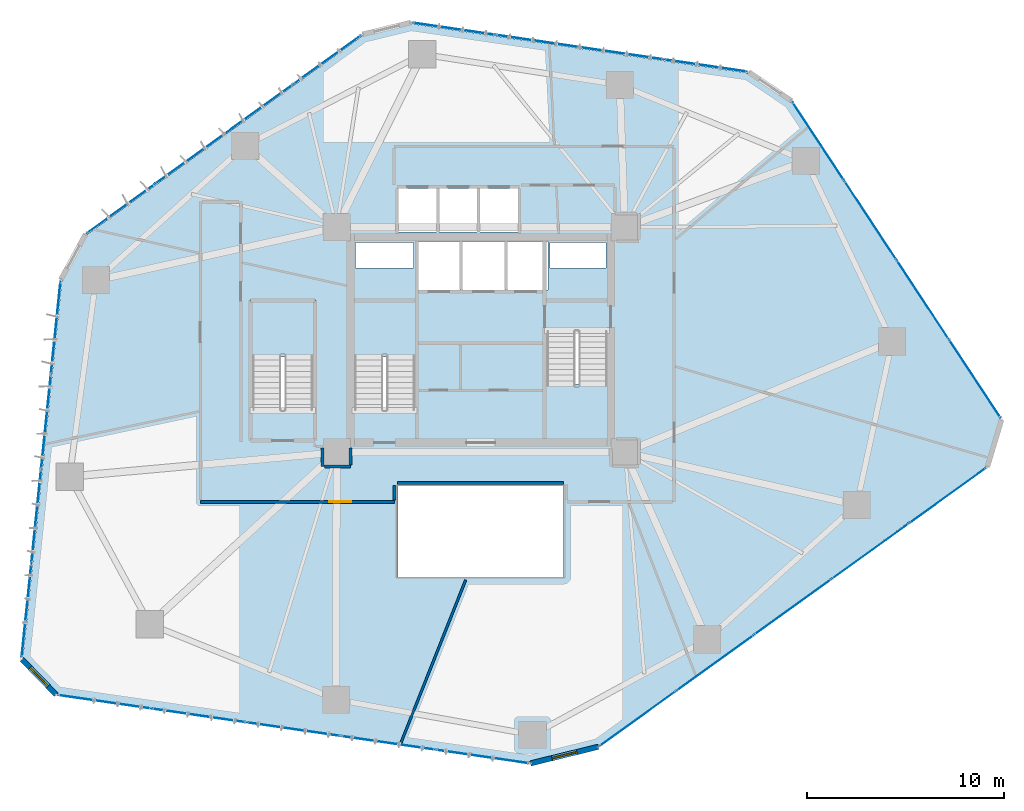
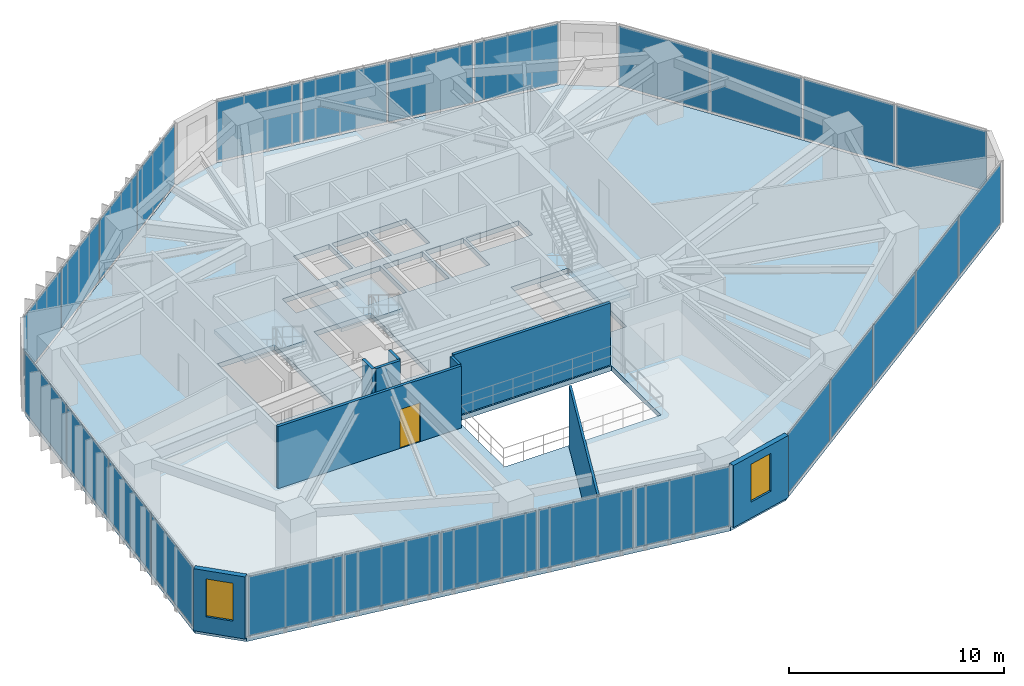
# One storey, part 17 of 22: 26 plates, 9 walls, 4 slabs, 2 windows, 1 door, 3 openings, 9 elements without a shape of their own.
"""IFC4 building model written with IfcOpenShell, lengths in metres."""

from ifc_helpers import new_model, si_unit, direction, frame, frame_2d, origin, origin_2d, place, context, subcontext, project, spatial, polyline, rectangle, outline, extrude, source, transform, mapped, material, layer, layer_set, type_object, type_shapes, element, fill, aggregate, save


model = new_model("IFC4")

# Units and contexts
model_context = context("Model", 3, precision=1e-05, world=origin(), true_north=direction((0.0, 1.0)))
body_context = subcontext(model_context, "Body", "Model", "MODEL_VIEW")
ifc_project = project(units=[si_unit("LENGTHUNIT", "METRE"), si_unit("AREAUNIT", "SQUARE_METRE"), si_unit("VOLUMEUNIT", "CUBIC_METRE"), si_unit("PLANEANGLEUNIT", "RADIAN"), si_unit("MASSUNIT", "GRAM", prefix="KILO")], contexts=[model_context])

# Site, building, storey
site_placement = place(None, origin())
site = spatial("IfcSite", under=ifc_project, at=site_placement, CompositionType="ELEMENT")
building_placement = place(site_placement, origin())
building = spatial("IfcBuilding", under=site, at=building_placement, Name="Talar Marvaseh", CompositionType="ELEMENT")
storey_placement = place(building_placement, frame((0.0, 0.0, 65.800048828125)))
storey = spatial("IfcBuildingStorey", under=building, at=storey_placement, Name="L16", CompositionType="ELEMENT", Elevation=65.800048828125)

# Stair, slab
ifc_material_1 = material(Name="Concrete C40/50", Category="concrete")
stair_type = type_object("IfcStairType", Name="Reinforced Concrete Half-Turn Exit Stair Type B", PredefinedType="HALF_TURN_STAIR", material=ifc_material_1)
stair_1_placement = place(storey_placement, origin())
stair_1 = element("IfcStair", 1, at=stair_1_placement, inside=storey, type_object=stair_type, Name="L16 Tower West Core Exit Stair", PredefinedType="HALF_TURN_STAIR")
ifc_layer_1 = layer(ifc_material_1, 0.199951171875)
ifc_layer_set_1 = layer_set([ifc_layer_1], Name="Concrete C40/50")
slab_type_1 = type_object("IfcSlabType", Name="Reinforced Concrete Stair Half-Landing Slab 200", PredefinedType="LANDING", material=ifc_layer_set_1)
slab_1_placement = place(storey_placement, frame((0.0, 0.0, 1.699951171875)))
slab_1 = element("IfcSlab", 2, at=slab_1_placement, type_object=slab_type_1, Name="ST-1 landing 1", PredefinedType="LANDING", context=body_context, shape_type="SweptSolid", body=[
    extrude(outline(polyline([(22.780029296875, 30.330078125), (22.780029296875, 33.219970703125), (19.47998046875, 33.219970703125), (19.47998046875, 30.330078125), (22.780029296875, 30.330078125)])), origin(), (0.0, 0.0, 1.0), 0.199951171875),
])
aggregate(stair_1, [slab_1])

stair_2_placement = place(storey_placement, origin())
stair_2 = element("IfcStair", 3, at=stair_2_placement, inside=storey, type_object=stair_type, Name="L16 Tower East Core Exit Stair", PredefinedType="HALF_TURN_STAIR")
slab_2_placement = place(storey_placement, frame((0.0, 0.0, 1.699951171875)))
slab_2 = element("IfcSlab", 4, at=slab_2_placement, type_object=slab_type_1, Name="ST-2 landing 1", PredefinedType="LANDING", context=body_context, shape_type="SweptSolid", body=[
    extrude(outline(polyline([(29.219970703125, 28.969970703125), (29.219970703125, 26.080078125), (32.52001953125, 26.080078125), (32.52001953125, 28.969970703125), (29.219970703125, 28.969970703125)])), origin(), (0.0, 0.0, 1.0), 0.199951171875),
])
aggregate(stair_2, [slab_2])

stair_3_placement = place(storey_placement, origin())
stair_3 = element("IfcStair", 5, at=stair_3_placement, inside=storey, type_object=stair_type, Name="L16 Museum & Podium Auxiliary Exit Stair", PredefinedType="HALF_TURN_STAIR")
slab_3_placement = place(storey_placement, frame((0.0, 0.0, 1.699951171875)))
slab_3 = element("IfcSlab", 6, at=slab_3_placement, type_object=slab_type_1, Name="ST-3 landing 1", PredefinedType="LANDING", context=body_context, shape_type="SweptSolid", body=[
    extrude(outline(polyline([(17.6201171875, 30.330078125), (17.6201171875, 33.219970703125), (14.320068359375, 33.219970703125), (14.320068359375, 30.330078125), (17.6201171875, 30.330078125)])), origin(), (0.0, 0.0, 1.0), 0.199951171875),
])
aggregate(stair_3, [slab_3])

# Slab
ifc_layer_2 = layer(ifc_material_1, 0.280029296875)
ifc_layer_set_2 = layer_set([ifc_layer_2], Name="Concrete C40/50")
slab_type_2 = type_object("IfcSlabType", Name="Structural Suspended Floor Slab 280", PredefinedType="FLOOR", material=ifc_layer_set_2)
slab_4_placement = place(storey_placement, frame((0.0, 0.0, -0.280029296875)))
element("IfcSlab", 7, at=slab_4_placement, inside=storey, type_object=slab_type_2, Name="L16 Tower Floor Slab", PredefinedType="FLOOR", context=body_context, shape_type="SweptSolid", body=[
    extrude(outline(polyline([(4.53369140625, 13.276123046875), (2.802490234375, 15.0576171875), (4.7841796875, 34.221923828125), (6.041015625, 36.524658203125), (20.026611328125, 46.6181640625), (22.470703125, 47.216064453125), (39.53662109375, 44.720947265625), (41.714599609375, 43.2587890625), (52.321533203125, 27.175048828125), (51.60888671875, 24.79541015625), (31.94482421875, 10.643798828125), (28.510009765625, 9.803466796875), (4.53369140625, 13.276123046875)]), holes=[polyline([(22.659912109375, 27.64990234375), (22.659912109375, 33.10009765625), (19.60009765625, 33.10009765625), (19.60009765625, 27.64990234375), (22.659912109375, 27.64990234375)]), polyline([(29.340087890625, 31.64990234375), (29.340087890625, 26.199951171875), (32.39990234375, 26.199951171875), (32.39990234375, 31.64990234375), (29.340087890625, 31.64990234375)]), polyline([(17.5, 27.64990234375), (17.5, 33.10009765625), (14.43994140625, 33.10009765625), (14.43994140625, 27.64990234375), (17.5, 27.64990234375)]), polyline([(22.800048828125, 33.719970703125), (24.93994140625, 33.719970703125), (24.93994140625, 36.179931640625), (22.800048828125, 36.179931640625), (22.800048828125, 33.719970703125)]), polyline([(25.080078125, 33.719970703125), (27.219970703125, 33.719970703125), (27.219970703125, 36.179931640625), (25.080078125, 36.179931640625), (25.080078125, 33.719970703125)]), polyline([(27.360107421875, 33.719970703125), (29.39990234375, 33.719970703125), (29.39990234375, 36.179931640625), (27.360107421875, 36.179931640625), (27.360107421875, 33.719970703125)]), polyline([(21.840087890625, 36.659912109375), (23.760009765625, 36.659912109375), (23.760009765625, 38.8798828125), (21.840087890625, 38.8798828125), (21.840087890625, 36.659912109375)]), polyline([(23.89990234375, 36.659912109375), (25.820068359375, 36.659912109375), (25.820068359375, 38.8798828125), (23.89990234375, 38.8798828125), (23.89990234375, 36.659912109375)]), polyline([(25.9599609375, 36.659912109375), (27.8798828125, 36.659912109375), (27.8798828125, 38.8798828125), (25.9599609375, 38.8798828125), (25.9599609375, 36.659912109375)]), polyline([(19.659912109375, 34.840087890625), (22.60009765625, 34.840087890625), (22.60009765625, 36.139892578125), (19.659912109375, 36.139892578125), (19.659912109375, 34.840087890625)]), polyline([(29.52001953125, 34.840087890625), (32.340087890625, 34.840087890625), (32.340087890625, 36.139892578125), (29.52001953125, 36.139892578125), (29.52001953125, 34.840087890625)]), polyline([(21.800048828125, 19.199951171875), (30.199951171875, 19.199951171875), (30.199951171875, 23.800048828125), (21.800048828125, 23.800048828125), (21.800048828125, 19.199951171875)])]), origin(), (0.0, 0.0, 1.0), 0.280029296875),
])

# Curtain wall, plates
ifc_material_2 = material(Name="Architectural Aluminium", Category="aluminium")
ifc_layer_3 = layer(ifc_material_2, 0.219970703125)
ifc_layer_set_3 = layer_set([ifc_layer_3], Name="Architectural Aluminium")
curtain_wall_type = type_object("IfcCurtainWallType", Name="Unitised Low-E Museum Curtain Wall Z1", PredefinedType="NOTDEFINED", material=ifc_layer_set_3)
curtain_wall_1_placement = place(storey_placement, origin())
curtain_wall_1 = element("IfcCurtainWall", 8, at=curtain_wall_1_placement, inside=storey, type_object=curtain_wall_type, Name="L16 Unitised Low-E Museum Curtain Wall Z1", PredefinedType="NOTDEFINED")
ifc_material_3 = material(Name="Laminated Low-E Solar Glass", Category="glass")
ifc_layer_4 = layer(ifc_material_3, 0.028076171875)
ifc_layer_set_4 = layer_set([ifc_layer_4], Name="Laminated Low-E Solar Glass")
plate_type = type_object("IfcPlateType", Name="Double-Glazed Low-E Vision Curtain Panel 28", PredefinedType="CURTAIN_PANEL", material=ifc_layer_set_4)
shared_shape_1 = source(origin(), body_context, "Body", "SweptSolid", [
    extrude(rectangle(XDim=4.696533203125, YDim=0.028076171875, at=origin_2d()), origin(), (0.0, 0.0, 1.0), 3.3701171875),
])
plate_1_placement = place(storey_placement, frame((2.99267578125, 17.479248046875, 0.074951171875), z_axis=(0.0, 0.0, 1.0), x_axis=(0.102857359443, 0.994696116213, 0.0)))
plate_1 = element("IfcPlate", 9, at=plate_1_placement, type_object=plate_type, Name="CW-Z1 panel 1.1", PredefinedType="CURTAIN_PANEL", context=body_context, shape_type="MappedRepresentation", body=[
    mapped(shared_shape_1, transform((0.0, 0.0, 0.0), x_axis=(1.0, 0.0, 0.0), y_axis=(0.0, 1.0, 0.0), z_axis=(0.0, 0.0, 1.0), scale=1.0)),
])
plate_2_placement = place(storey_placement, frame((4.474853515625, 31.812744140625, 0.074951171875), z_axis=(0.0, 0.0, 1.0), x_axis=(0.102857359443, 0.994696116213, 0.0)))
plate_2 = element("IfcPlate", 10, at=plate_2_placement, type_object=plate_type, Name="CW-Z1 panel 4.1", PredefinedType="CURTAIN_PANEL", context=body_context, shape_type="MappedRepresentation", body=[
    mapped(shared_shape_1, transform((0.0, 0.0, 0.0), x_axis=(1.0, 0.0, 0.0), y_axis=(0.0, 1.0, 0.0), z_axis=(0.0, 0.0, 1.0), scale=1.0)),
])

curtain_wall_2_placement = place(storey_placement, origin())
curtain_wall_2 = element("IfcCurtainWall", 11, at=curtain_wall_2_placement, inside=storey, type_object=curtain_wall_type, Name="L16 Unitised Low-E Museum Curtain Wall Z1", PredefinedType="NOTDEFINED")
plate_3_placement = place(storey_placement, frame((43.1015625, 41.2646484375, 0.074951171875), z_axis=(0.0, 0.0, 1.0), x_axis=(0.550538182542, -0.834809984106, 0.0)))
plate_3 = element("IfcPlate", 12, at=plate_3_placement, type_object=plate_type, Name="CW-Z1 panel 1.1", PredefinedType="CURTAIN_PANEL", context=body_context, shape_type="MappedRepresentation", body=[
    mapped(shared_shape_1, transform((0.0, 0.0, 0.0), x_axis=(1.0, 0.0, 0.0), y_axis=(0.0, 1.0, 0.0), z_axis=(0.0, 0.0, 1.0), scale=1.0)),
])
plate_4_placement = place(storey_placement, frame((51.034912109375, 29.235107421875, 0.074951171875), z_axis=(0.0, 0.0, 1.0), x_axis=(0.550538182542, -0.834809984106, 0.0)))
plate_4 = element("IfcPlate", 13, at=plate_4_placement, type_object=plate_type, Name="CW-Z1 panel 4.1", PredefinedType="CURTAIN_PANEL", context=body_context, shape_type="MappedRepresentation", body=[
    mapped(shared_shape_1, transform((0.0, 0.0, 0.0), x_axis=(1.0, 0.0, 0.0), y_axis=(0.0, 1.0, 0.0), z_axis=(0.0, 0.0, 1.0), scale=1.0)),
])

# Plate
shared_shape_2 = source(origin(), body_context, "Body", "SweptSolid", [
    extrude(rectangle(XDim=4.736572265625, YDim=0.028076171875, at=origin_2d()), origin(), (0.0, 0.0, 1.0), 3.3701171875),
])
plate_5_placement = place(storey_placement, frame((3.486083984375, 22.25048828125, 0.074951171875), z_axis=(0.0, 0.0, 1.0), x_axis=(0.102857359443, 0.994696116213, 0.0)))
plate_5 = element("IfcPlate", 14, at=plate_5_placement, type_object=plate_type, Name="CW-Z1 panel 2.1", PredefinedType="CURTAIN_PANEL", context=body_context, shape_type="MappedRepresentation", body=[
    mapped(shared_shape_2, transform((0.0, 0.0, 0.0), x_axis=(1.0, 0.0, 0.0), y_axis=(0.0, 1.0, 0.0), z_axis=(0.0, 0.0, 1.0), scale=1.0)),
])

plate_6_placement = place(storey_placement, frame((3.9814453125, 27.04150390625, 0.074951171875), z_axis=(0.0, 0.0, 1.0), x_axis=(0.102857359443, 0.994696116213, 0.0)))
plate_6 = element("IfcPlate", 15, at=plate_6_placement, type_object=plate_type, Name="CW-Z1 panel 3.1", PredefinedType="CURTAIN_PANEL", context=body_context, shape_type="MappedRepresentation", body=[
    mapped(shared_shape_2, transform((0.0, 0.0, 0.0), x_axis=(1.0, 0.0, 0.0), y_axis=(0.0, 1.0, 0.0), z_axis=(0.0, 0.0, 1.0), scale=1.0)),
])

aggregate(curtain_wall_1, [plate_1, plate_5, plate_6, plate_2])

plate_7_placement = place(storey_placement, frame((45.742431640625, 37.26025390625, 0.074951171875), z_axis=(0.0, 0.0, 1.0), x_axis=(0.550538182542, -0.834809984106, 0.0)))
plate_7 = element("IfcPlate", 16, at=plate_7_placement, type_object=plate_type, Name="CW-Z1 panel 2.1", PredefinedType="CURTAIN_PANEL", context=body_context, shape_type="MappedRepresentation", body=[
    mapped(shared_shape_2, transform((0.0, 0.0, 0.0), x_axis=(1.0, 0.0, 0.0), y_axis=(0.0, 1.0, 0.0), z_axis=(0.0, 0.0, 1.0), scale=1.0)),
])

plate_8_placement = place(storey_placement, frame((48.39404296875, 33.239501953125, 0.074951171875), z_axis=(0.0, 0.0, 1.0), x_axis=(0.550538182542, -0.834809984106, 0.0)))
plate_8 = element("IfcPlate", 17, at=plate_8_placement, type_object=plate_type, Name="CW-Z1 panel 3.1", PredefinedType="CURTAIN_PANEL", context=body_context, shape_type="MappedRepresentation", body=[
    mapped(shared_shape_2, transform((0.0, 0.0, 0.0), x_axis=(1.0, 0.0, 0.0), y_axis=(0.0, 1.0, 0.0), z_axis=(0.0, 0.0, 1.0), scale=1.0)),
])

aggregate(curtain_wall_2, [plate_3, plate_7, plate_8, plate_4])

# Curtain wall, plates
curtain_wall_3_placement = place(storey_placement, origin())
curtain_wall_3 = element("IfcCurtainWall", 18, at=curtain_wall_3_placement, inside=storey, type_object=curtain_wall_type, Name="L16 Unitised Low-E Museum Curtain Wall Z1", PredefinedType="NOTDEFINED")
shared_shape_3 = source(origin(), body_context, "Body", "SweptSolid", [
    extrude(rectangle(XDim=4.19189453125, YDim=0.028076171875, at=origin_2d()), origin(), (0.0, 0.0, 1.0), 3.3701171875),
])
plate_9_placement = place(storey_placement, frame((7.770263671875, 37.8466796875, 0.074951171875), z_axis=(0.0, 0.0, 1.0), x_axis=(0.810882366187, 0.58520918329, 0.0)))
plate_9 = element("IfcPlate", 19, at=plate_9_placement, type_object=plate_type, Name="CW-Z1 panel 1.1", PredefinedType="CURTAIN_PANEL", context=body_context, shape_type="MappedRepresentation", body=[
    mapped(shared_shape_3, transform((0.0, 0.0, 0.0), x_axis=(1.0, 0.0, 0.0), y_axis=(0.0, 1.0, 0.0), z_axis=(0.0, 0.0, 1.0), scale=1.0)),
])
plate_10_placement = place(storey_placement, frame((18.22705078125, 45.393310546875, 0.074951171875), z_axis=(0.0, 0.0, 1.0), x_axis=(0.810882366187, 0.58520918329, 0.0)))
plate_10 = element("IfcPlate", 20, at=plate_10_placement, type_object=plate_type, Name="CW-Z1 panel 4.1", PredefinedType="CURTAIN_PANEL", context=body_context, shape_type="MappedRepresentation", body=[
    mapped(shared_shape_3, transform((0.0, 0.0, 0.0), x_axis=(1.0, 0.0, 0.0), y_axis=(0.0, 1.0, 0.0), z_axis=(0.0, 0.0, 1.0), scale=1.0)),
])

curtain_wall_4_placement = place(storey_placement, origin())
curtain_wall_4 = element("IfcCurtainWall", 21, at=curtain_wall_4_placement, inside=storey, type_object=curtain_wall_type, Name="L16 Unitised Low-E Museum Curtain Wall Z1", PredefinedType="NOTDEFINED")
plate_11_placement = place(storey_placement, frame((24.63232421875, 46.960693359375, 0.074951171875), z_axis=(0.0, 0.0, 1.0), x_axis=(0.989480809091, -0.144664191981, 0.0)))
plate_11 = element("IfcPlate", 22, at=plate_11_placement, type_object=plate_type, Name="CW-Z1 panel 1.1", PredefinedType="CURTAIN_PANEL", context=body_context, shape_type="MappedRepresentation", body=[
    mapped(shared_shape_3, transform((0.0, 0.0, 0.0), x_axis=(1.0, 0.0, 0.0), y_axis=(0.0, 1.0, 0.0), z_axis=(0.0, 0.0, 1.0), scale=1.0)),
])
plate_12_placement = place(storey_placement, frame((37.392333984375, 45.09521484375, 0.074951171875), z_axis=(0.0, 0.0, 1.0), x_axis=(0.989480809091, -0.144664191981, 0.0)))
plate_12 = element("IfcPlate", 23, at=plate_12_placement, type_object=plate_type, Name="CW-Z1 panel 4.1", PredefinedType="CURTAIN_PANEL", context=body_context, shape_type="MappedRepresentation", body=[
    mapped(shared_shape_3, transform((0.0, 0.0, 0.0), x_axis=(1.0, 0.0, 0.0), y_axis=(0.0, 1.0, 0.0), z_axis=(0.0, 0.0, 1.0), scale=1.0)),
])

# Plate
shared_shape_4 = source(origin(), body_context, "Body", "SweptSolid", [
    extrude(rectangle(XDim=4.23193359375, YDim=0.028076171875, at=origin_2d()), origin(), (0.0, 0.0, 1.0), 3.3701171875),
])
plate_13_placement = place(storey_placement, frame((11.25048828125, 40.3583984375, 0.074951171875), z_axis=(0.0, 0.0, 1.0), x_axis=(0.810882366187, 0.58520918329, 0.0)))
plate_13 = element("IfcPlate", 24, at=plate_13_placement, type_object=plate_type, Name="CW-Z1 panel 2.1", PredefinedType="CURTAIN_PANEL", context=body_context, shape_type="MappedRepresentation", body=[
    mapped(shared_shape_4, transform((0.0, 0.0, 0.0), x_axis=(1.0, 0.0, 0.0), y_axis=(0.0, 1.0, 0.0), z_axis=(0.0, 0.0, 1.0), scale=1.0)),
])

plate_14_placement = place(storey_placement, frame((14.7470703125, 42.8818359375, 0.074951171875), z_axis=(0.0, 0.0, 1.0), x_axis=(0.810882366187, 0.58520918329, 0.0)))
plate_14 = element("IfcPlate", 25, at=plate_14_placement, type_object=plate_type, Name="CW-Z1 panel 3.1", PredefinedType="CURTAIN_PANEL", context=body_context, shape_type="MappedRepresentation", body=[
    mapped(shared_shape_4, transform((0.0, 0.0, 0.0), x_axis=(1.0, 0.0, 0.0), y_axis=(0.0, 1.0, 0.0), z_axis=(0.0, 0.0, 1.0), scale=1.0)),
])

aggregate(curtain_wall_3, [plate_9, plate_13, plate_14, plate_10])

plate_15_placement = place(storey_placement, frame((28.879150390625, 46.33984375, 0.074951171875), z_axis=(0.0, 0.0, 1.0), x_axis=(0.989480809091, -0.144664191981, 0.0)))
plate_15 = element("IfcPlate", 26, at=plate_15_placement, type_object=plate_type, Name="CW-Z1 panel 2.1", PredefinedType="CURTAIN_PANEL", context=body_context, shape_type="MappedRepresentation", body=[
    mapped(shared_shape_4, transform((0.0, 0.0, 0.0), x_axis=(1.0, 0.0, 0.0), y_axis=(0.0, 1.0, 0.0), z_axis=(0.0, 0.0, 1.0), scale=1.0)),
])

plate_16_placement = place(storey_placement, frame((33.1455078125, 45.716064453125, 0.074951171875), z_axis=(0.0, 0.0, 1.0), x_axis=(0.989480809091, -0.144664191981, 0.0)))
plate_16 = element("IfcPlate", 27, at=plate_16_placement, type_object=plate_type, Name="CW-Z1 panel 3.1", PredefinedType="CURTAIN_PANEL", context=body_context, shape_type="MappedRepresentation", body=[
    mapped(shared_shape_4, transform((0.0, 0.0, 0.0), x_axis=(1.0, 0.0, 0.0), y_axis=(0.0, 1.0, 0.0), z_axis=(0.0, 0.0, 1.0), scale=1.0)),
])

aggregate(curtain_wall_4, [plate_11, plate_15, plate_16, plate_12])

# Curtain wall, plates
curtain_wall_5_placement = place(storey_placement, origin())
curtain_wall_5 = element("IfcCurtainWall", 28, at=curtain_wall_5_placement, inside=storey, type_object=curtain_wall_type, Name="L16 Unitised Low-E Museum Curtain Wall Z1", PredefinedType="NOTDEFINED")
shared_shape_5 = source(origin(), body_context, "Body", "SweptSolid", [
    extrude(rectangle(XDim=4.725341796875, YDim=0.028076171875, at=origin_2d()), origin(), (0.0, 0.0, 1.0), 3.3701171875),
])
plate_17_placement = place(storey_placement, frame((49.6611328125, 23.31982421875, 0.074951171875), z_axis=(0.0, 0.0, 1.0), x_axis=(-0.811665066932, -0.584123119832, 0.0)))
plate_17 = element("IfcPlate", 29, at=plate_17_placement, type_object=plate_type, Name="CW-Z1 panel 1.1", PredefinedType="CURTAIN_PANEL", context=body_context, shape_type="MappedRepresentation", body=[
    mapped(shared_shape_5, transform((0.0, 0.0, 0.0), x_axis=(1.0, 0.0, 0.0), y_axis=(0.0, 1.0, 0.0), z_axis=(0.0, 0.0, 1.0), scale=1.0)),
])
plate_18_placement = place(storey_placement, frame((33.96240234375, 12.02197265625, 0.074951171875), z_axis=(0.0, 0.0, 1.0), x_axis=(-0.811665066932, -0.584123119832, 0.0)))
plate_18 = element("IfcPlate", 30, at=plate_18_placement, type_object=plate_type, Name="CW-Z1 panel 5.1", PredefinedType="CURTAIN_PANEL", context=body_context, shape_type="MappedRepresentation", body=[
    mapped(shared_shape_5, transform((0.0, 0.0, 0.0), x_axis=(1.0, 0.0, 0.0), y_axis=(0.0, 1.0, 0.0), z_axis=(0.0, 0.0, 1.0), scale=1.0)),
])

curtain_wall_6_placement = place(storey_placement, origin())
curtain_wall_6 = element("IfcCurtainWall", 31, at=curtain_wall_6_placement, inside=storey, type_object=curtain_wall_type, Name="L16 Unitised Low-E Museum Curtain Wall Z1", PredefinedType="NOTDEFINED")
plate_19_placement = place(storey_placement, frame((26.083984375, 10.09423828125, 0.074951171875), z_axis=(0.0, 0.0, 1.0), x_axis=(-0.98967380746, 0.143337904362, 0.0)))
plate_19 = element("IfcPlate", 32, at=plate_19_placement, type_object=plate_type, Name="CW-Z1 panel 1.1", PredefinedType="CURTAIN_PANEL", context=body_context, shape_type="MappedRepresentation", body=[
    mapped(shared_shape_5, transform((0.0, 0.0, 0.0), x_axis=(1.0, 0.0, 0.0), y_axis=(0.0, 1.0, 0.0), z_axis=(0.0, 0.0, 1.0), scale=1.0)),
])
plate_20_placement = place(storey_placement, frame((6.9423828125, 12.866455078125, 0.074951171875), z_axis=(0.0, 0.0, 1.0), x_axis=(-0.98967380746, 0.143337904362, 0.0)))
plate_20 = element("IfcPlate", 33, at=plate_20_placement, type_object=plate_type, Name="CW-Z1 panel 5.1", PredefinedType="CURTAIN_PANEL", context=body_context, shape_type="MappedRepresentation", body=[
    mapped(shared_shape_5, transform((0.0, 0.0, 0.0), x_axis=(1.0, 0.0, 0.0), y_axis=(0.0, 1.0, 0.0), z_axis=(0.0, 0.0, 1.0), scale=1.0)),
])

# Plate
shared_shape_6 = source(origin(), body_context, "Body", "SweptSolid", [
    extrude(rectangle(XDim=4.765380859375, YDim=0.028076171875, at=origin_2d()), origin(), (0.0, 0.0, 1.0), 3.3701171875),
])
type_shapes(plate_type, [shared_shape_1, shared_shape_2, shared_shape_3, shared_shape_4, shared_shape_5, shared_shape_6])
plate_21_placement = place(storey_placement, frame((45.74462890625, 20.501220703125, 0.074951171875), z_axis=(0.0, 0.0, 1.0), x_axis=(-0.811665066932, -0.584123119832, 0.0)))
plate_21 = element("IfcPlate", 34, at=plate_21_placement, type_object=plate_type, Name="CW-Z1 panel 2.1", PredefinedType="CURTAIN_PANEL", context=body_context, shape_type="MappedRepresentation", body=[
    mapped(shared_shape_6, transform((0.0, 0.0, 0.0), x_axis=(1.0, 0.0, 0.0), y_axis=(0.0, 1.0, 0.0), z_axis=(0.0, 0.0, 1.0), scale=1.0)),
])

plate_22_placement = place(storey_placement, frame((41.811767578125, 17.6708984375, 0.074951171875), z_axis=(0.0, 0.0, 1.0), x_axis=(-0.811665066932, -0.584123119832, 0.0)))
plate_22 = element("IfcPlate", 35, at=plate_22_placement, type_object=plate_type, Name="CW-Z1 panel 3.1", PredefinedType="CURTAIN_PANEL", context=body_context, shape_type="MappedRepresentation", body=[
    mapped(shared_shape_6, transform((0.0, 0.0, 0.0), x_axis=(1.0, 0.0, 0.0), y_axis=(0.0, 1.0, 0.0), z_axis=(0.0, 0.0, 1.0), scale=1.0)),
])

plate_23_placement = place(storey_placement, frame((37.87890625, 14.840576171875, 0.074951171875), z_axis=(0.0, 0.0, 1.0), x_axis=(-0.811665066932, -0.584123119832, 0.0)))
plate_23 = element("IfcPlate", 36, at=plate_23_placement, type_object=plate_type, Name="CW-Z1 panel 4.1", PredefinedType="CURTAIN_PANEL", context=body_context, shape_type="MappedRepresentation", body=[
    mapped(shared_shape_6, transform((0.0, 0.0, 0.0), x_axis=(1.0, 0.0, 0.0), y_axis=(0.0, 1.0, 0.0), z_axis=(0.0, 0.0, 1.0), scale=1.0)),
])

aggregate(curtain_wall_5, [plate_17, plate_21, plate_22, plate_23, plate_18])

plate_24_placement = place(storey_placement, frame((21.30859375, 10.785888671875, 0.074951171875), z_axis=(0.0, 0.0, 1.0), x_axis=(-0.98967380746, 0.143337904362, 0.0)))
plate_24 = element("IfcPlate", 37, at=plate_24_placement, type_object=plate_type, Name="CW-Z1 panel 2.1", PredefinedType="CURTAIN_PANEL", context=body_context, shape_type="MappedRepresentation", body=[
    mapped(shared_shape_6, transform((0.0, 0.0, 0.0), x_axis=(1.0, 0.0, 0.0), y_axis=(0.0, 1.0, 0.0), z_axis=(0.0, 0.0, 1.0), scale=1.0)),
])

plate_25_placement = place(storey_placement, frame((16.51318359375, 11.48046875, 0.074951171875), z_axis=(0.0, 0.0, 1.0), x_axis=(-0.98967380746, 0.143337904362, 0.0)))
plate_25 = element("IfcPlate", 38, at=plate_25_placement, type_object=plate_type, Name="CW-Z1 panel 3.1", PredefinedType="CURTAIN_PANEL", context=body_context, shape_type="MappedRepresentation", body=[
    mapped(shared_shape_6, transform((0.0, 0.0, 0.0), x_axis=(1.0, 0.0, 0.0), y_axis=(0.0, 1.0, 0.0), z_axis=(0.0, 0.0, 1.0), scale=1.0)),
])

plate_26_placement = place(storey_placement, frame((11.718017578125, 12.1748046875, 0.074951171875), z_axis=(0.0, 0.0, 1.0), x_axis=(-0.98967380746, 0.143337904362, 0.0)))
plate_26 = element("IfcPlate", 39, at=plate_26_placement, type_object=plate_type, Name="CW-Z1 panel 4.1", PredefinedType="CURTAIN_PANEL", context=body_context, shape_type="MappedRepresentation", body=[
    mapped(shared_shape_6, transform((0.0, 0.0, 0.0), x_axis=(1.0, 0.0, 0.0), y_axis=(0.0, 1.0, 0.0), z_axis=(0.0, 0.0, 1.0), scale=1.0)),
])

aggregate(curtain_wall_6, [plate_19, plate_24, plate_25, plate_26, plate_20])

# Wall, opening, window
ifc_material_4 = material(Name="Precast concrete C45/55", Category="concrete")
ifc_layer_5 = layer(ifc_material_4, 0.27001953125)
ifc_layer_set_5 = layer_set([ifc_layer_5], Name="Precast concrete C45/55")
wall_type_1 = type_object("IfcWallType", Name="Chamfered Hexagonal Corner Pier Wall Z1 270", PredefinedType="SOLIDWALL", material=ifc_layer_set_5)
wall_1_placement = place(storey_placement, frame((4.490478515625, 13.234375, 0.0), z_axis=(0.0, 0.0, 1.0), x_axis=(-0.696860810166, 0.717206393763, 0.0)))
wall_1 = element("IfcWall", 40, at=wall_1_placement, inside=storey, type_object=wall_type_1, Name="L16 Chamfered Corner Limestone Pier 1", PredefinedType="SOLIDWALL", context=body_context, shape_type="SweptSolid", body=[
    extrude(rectangle(XDim=2.48388671875, YDim=0.27001953125, at=frame_2d((1.241943359375, 0.0))), origin(), (0.0, 0.0, 1.0), 3.52001953125),
])
opening_1_placement = place(wall_1_placement, frame((0.592041015625, 0.0, 0.89990234375)))
opening_1 = element("IfcOpeningElement", 41, at=opening_1_placement, cuts=wall_1, Name="Opening WN-CHM13", PredefinedType="OPENING", context=body_context, shape_type="SweptSolid", body=[
    extrude(rectangle(XDim=1.300048828125, YDim=2.14990234375, at=frame_2d((0.64990234375, 1.074951171875))), frame((0.0, 0.14501953125, 0.0), z_axis=(0.0, -1.0, 0.0), x_axis=(1.0, 0.0, 0.0)), (0.0, 0.0, 1.0), 0.2900390625),
])
window_type = type_object("IfcWindowType", Name="Zone 1 Chamfered Corner Slot Window 1300x2150", PartitioningType="SINGLE_PANEL", PredefinedType="WINDOW", material=ifc_material_3)
shared_shape_7 = source(origin(), body_context, "Body", "SweptSolid", [
    extrude(rectangle(XDim=1.300048828125, YDim=2.14990234375, at=frame_2d((0.64990234375, 1.074951171875))), frame((0.0, 0.030029296875, 0.0), z_axis=(0.0, -1.0, 0.0), x_axis=(1.0, 0.0, 0.0)), (0.0, 0.0, 1.0), 0.06005859375),
])
type_shapes(window_type, [shared_shape_7])
window_1_placement = place(opening_1_placement, origin())
window_1 = element("IfcWindow", 42, at=window_1_placement, inside=storey, type_object=window_type, Name="L16 Chamfered Corner Slot Window", OverallHeight=2.14990234375, OverallWidth=1.300048828125, PartitioningType="SINGLE_PANEL", PredefinedType="WINDOW", context=body_context, shape_type="MappedRepresentation", body=[
    mapped(shared_shape_7, transform((0.0, 0.0, 0.0), x_axis=(1.0, 0.0, 0.0), y_axis=(0.0, 1.0, 0.0), z_axis=(0.0, 0.0, 1.0), scale=1.0)),
])
fill(opening_1, window_1)

wall_2_placement = place(storey_placement, frame((31.958984375, 10.585693359375, 0.0), z_axis=(0.0, 0.0, 1.0), x_axis=(-0.971332786709, -0.237723826034, 0.0)))
wall_2 = element("IfcWall", 43, at=wall_2_placement, inside=storey, type_object=wall_type_1, Name="L16 Chamfered Corner Limestone Pier 6", PredefinedType="SOLIDWALL", context=body_context, shape_type="SweptSolid", body=[
    extrude(rectangle(XDim=3.535888671875, YDim=0.27001953125, at=frame_2d((1.76806640625, 0.0))), origin(), (0.0, 0.0, 1.0), 3.52001953125),
])
opening_2_placement = place(wall_2_placement, frame((1.117919921875, 0.0, 0.89990234375)))
opening_2 = element("IfcOpeningElement", 44, at=opening_2_placement, cuts=wall_2, Name="Opening WN-CHM13", PredefinedType="OPENING", context=body_context, shape_type="SweptSolid", body=[
    extrude(rectangle(XDim=1.300048828125, YDim=2.14990234375, at=frame_2d((0.64990234375, 1.074951171875))), frame((0.0, 0.14501953125, 0.0), z_axis=(0.0, -1.0, 0.0), x_axis=(1.0, 0.0, 0.0)), (0.0, 0.0, 1.0), 0.2900390625),
])
window_2_placement = place(opening_2_placement, origin())
window_2 = element("IfcWindow", 45, at=window_2_placement, inside=storey, type_object=window_type, Name="L16 Chamfered Corner Slot Window", OverallHeight=2.14990234375, OverallWidth=1.300048828125, PartitioningType="SINGLE_PANEL", PredefinedType="WINDOW", context=body_context, shape_type="MappedRepresentation", body=[
    mapped(shared_shape_7, transform((0.0, 0.0, 0.0), x_axis=(1.0, 0.0, 0.0), y_axis=(0.0, 1.0, 0.0), z_axis=(0.0, 0.0, 1.0), scale=1.0)),
])
fill(opening_2, window_2)

# Wall, opening, door
ifc_material_5 = material(Name="Gypsum Board Partition Assembly")
ifc_layer_6 = layer(ifc_material_5, 0.155029296875)
ifc_layer_set_6 = layer_set([ifc_layer_6], Name="Gypsum Board Partition Assembly")
wall_type_2 = type_object("IfcWallType", Name="Corridor Fire-Rated Acoustic Partition 155", PredefinedType="PARTITIONING", material=ifc_layer_set_6)
wall_3_placement = place(storey_placement, frame((21.639892578125, 23.0, 0.0), z_axis=(0.0, 0.0, 1.0), x_axis=(-1.0, 0.0, 0.0)))
wall_3 = element("IfcWall", 46, at=wall_3_placement, inside=storey, type_object=wall_type_2, Name="L16 Interior Partition Wall", PredefinedType="PARTITIONING", context=body_context, shape_type="SweptSolid", body=[
    extrude(rectangle(XDim=9.83984375, YDim=0.155029296875, at=frame_2d((4.919921875, 0.0))), origin(), (0.0, 0.0, 1.0), 3.52001953125),
])
opening_3_placement = place(wall_3_placement, frame((2.205078125, 0.0, 0.0)))
opening_3 = element("IfcOpeningElement", 47, at=opening_3_placement, cuts=wall_3, Name="Opening DR-RM110", PredefinedType="OPENING", context=body_context, shape_type="SweptSolid", body=[
    extrude(rectangle(XDim=1.10009765625, YDim=2.199951171875, at=frame_2d((0.550048828125, 1.10009765625))), frame((0.0, 0.08740234375, 0.0), z_axis=(0.0, -1.0, 0.0), x_axis=(1.0, 0.0, 0.0)), (0.0, 0.0, 1.0), 0.175048828125),
])
ifc_material_6 = material(Name="Acoustic Engineered Oak Timber", Category="wood")
door_type = type_object("IfcDoorType", Name="Assembly and Reading Hall Door 1100x2200", OperationType="NOTDEFINED", PredefinedType="DOOR", material=ifc_material_6)
shared_shape_8 = source(origin(), body_context, "Body", "SweptSolid", [
    extrude(rectangle(XDim=1.10009765625, YDim=2.199951171875, at=frame_2d((0.550048828125, 1.10009765625))), frame((0.0, 0.02490234375, 0.0), z_axis=(0.0, -1.0, 0.0), x_axis=(1.0, 0.0, 0.0)), (0.0, 0.0, 1.0), 0.050048828125),
])
type_shapes(door_type, [shared_shape_8])
door_placement = place(opening_3_placement, origin())
door = element("IfcDoor", 48, at=door_placement, inside=storey, type_object=door_type, Name="L16 Exhibition Gallery Door", OperationType="SINGLE_SWING_LEFT", OverallHeight=2.199951171875, OverallWidth=1.10009765625, PredefinedType="DOOR", context=body_context, shape_type="MappedRepresentation", body=[
    mapped(shared_shape_8, transform((0.0, 0.0, 0.0), x_axis=(1.0, 0.0, 0.0), y_axis=(0.0, 1.0, 0.0), z_axis=(0.0, 0.0, 1.0), scale=1.0)),
])
fill(opening_3, door)

# Walls
wall_4_placement = place(storey_placement, frame((30.199951171875, 23.9599609375, 0.0), z_axis=(0.0, 0.0, 1.0), x_axis=(-0.999999996213, -8.7029677e-05, 0.0)))
element("IfcWall", 49, at=wall_4_placement, inside=storey, type_object=wall_type_2, Name="L16 Interior Partition Wall", PredefinedType="PARTITIONING", context=body_context, shape_type="SweptSolid", body=[
    extrude(rectangle(XDim=8.415771484375, YDim=0.155029296875, at=frame_2d((4.2080078125, 0.0))), origin(), (0.0, 0.0, 1.0), 3.52001953125),
])
wall_5_placement = place(storey_placement, frame((21.64306640625, 23.831298828125, 0.0), z_axis=(0.0, 0.0, 1.0), x_axis=(-0.00359122725, -0.999993551523, 0.0)))
element("IfcWall", 50, at=wall_5_placement, inside=storey, type_object=wall_type_2, Name="L16 Interior Partition Wall", PredefinedType="PARTITIONING", context=body_context, shape_type="SweptSolid", body=[
    extrude(rectangle(XDim=0.747802734375, YDim=0.155029296875, at=frame_2d((0.3740234375, 0.0))), origin(), (0.0, 0.0, 1.0), 3.52001953125),
])
wall_6_placement = place(storey_placement, frame((17.986083984375, 25.716552734375, 0.0), z_axis=(0.0, 0.0, 1.0), x_axis=(0.013367088724, -0.999910656478, 0.0)))
element("IfcWall", 51, at=wall_6_placement, inside=storey, type_object=wall_type_2, Name="L16 Interior Partition Wall", PredefinedType="PARTITIONING", context=body_context, shape_type="SweptSolid", body=[
    extrude(rectangle(XDim=0.931396484375, YDim=0.155029296875, at=frame_2d((0.4658203125, 0.0))), origin(), (0.0, 0.0, 1.0), 3.52001953125),
])
wall_7_placement = place(storey_placement, frame((18.08203125, 24.78515625, 0.0), z_axis=(0.0, 0.0, 1.0), x_axis=(0.99999830547, 0.001840939443, 0.0)))
element("IfcWall", 52, at=wall_7_placement, inside=storey, type_object=wall_type_2, Name="L16 Interior Partition Wall", PredefinedType="PARTITIONING", context=body_context, shape_type="SweptSolid", body=[
    extrude(rectangle(XDim=1.326171875, YDim=0.155029296875, at=frame_2d((0.6630859375, 0.0))), origin(), (0.0, 0.0, 1.0), 3.52001953125),
])
wall_8_placement = place(storey_placement, frame((19.408935546875, 24.87109375, 0.0), z_axis=(0.0, 0.0, 1.0), x_axis=(0.007106130977, 0.999974751133, 0.0)))
element("IfcWall", 53, at=wall_8_placement, inside=storey, type_object=wall_type_2, Name="L16 Interior Partition Wall", PredefinedType="PARTITIONING", context=body_context, shape_type="SweptSolid", body=[
    extrude(rectangle(XDim=0.85888671875, YDim=0.155029296875, at=frame_2d((0.429443359375, 0.0))), origin(), (0.0, 0.0, 1.0), 3.52001953125),
])
ifc_layer_7 = layer(ifc_material_5, 0.1201171875)
ifc_layer_set_7 = layer_set([ifc_layer_7], Name="Gypsum Board Partition Assembly")
wall_type_3 = type_object("IfcWallType", Name="Demountable Studio Room Partition 120", PredefinedType="PARTITIONING", material=ifc_layer_set_7)
wall_9_placement = place(storey_placement, frame((25.239990234375, 19.0400390625, 0.0), z_axis=(0.0, 0.0, 1.0), x_axis=(-0.369410493358, -0.929266316724, 0.0)))
element("IfcWall", 54, at=wall_9_placement, inside=storey, type_object=wall_type_3, Name="L16 Interior Partition Wall", PredefinedType="PARTITIONING", context=body_context, shape_type="SweptSolid", body=[
    extrude(rectangle(XDim=8.953125, YDim=0.1201171875, at=frame_2d((4.4765625, 0.0))), origin(), (0.0, 0.0, 1.0), 3.52001953125),
])

save(model, "model.ifc")
